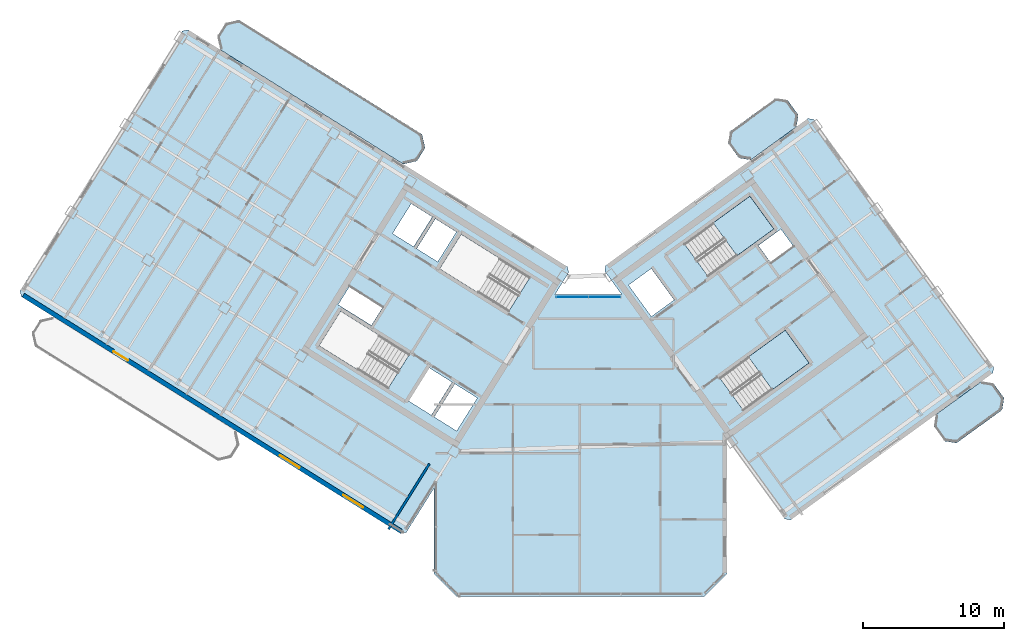
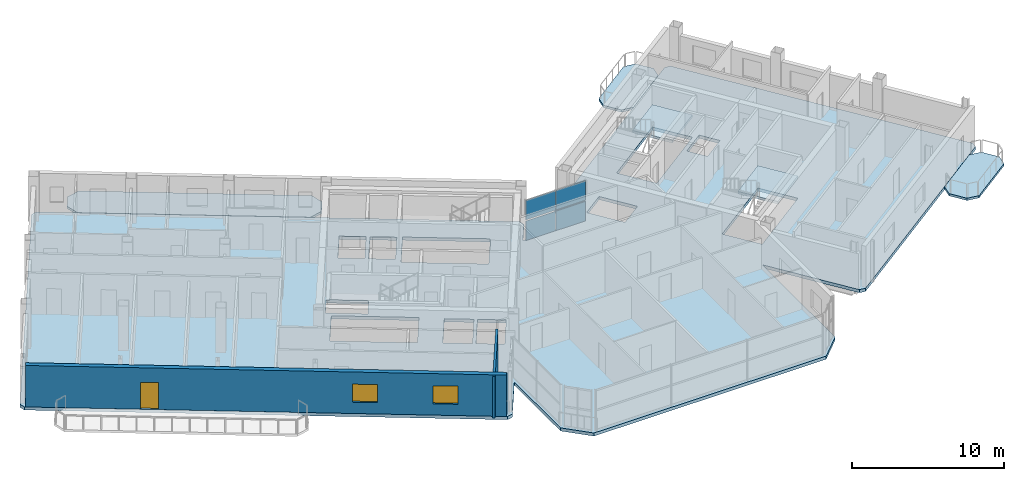
# One storey, part 15 of 25: 6 slabs, 4 plates, 2 walls, 2 windows, 1 door, 3 openings, 3 elements without a shape of their own.
"""IFC4 building model written with IfcOpenShell, lengths in metres."""

from ifc_helpers import new_model, si_unit, direction, frame, frame_2d, origin, origin_2d, place, context, subcontext, project, spatial, polyline, rectangle, outline, extrude, source, transform, mapped, material, layer, layer_set, type_object, element, fill, aggregate, save


model = new_model("IFC4")

# Units and contexts
model_context = context("Model", 3, precision=1e-05, world=origin(), true_north=direction((0.0, 1.0)))
body_context = subcontext(model_context, "Body", "Model", "MODEL_VIEW")
ifc_project = project(units=[si_unit("LENGTHUNIT", "METRE"), si_unit("AREAUNIT", "SQUARE_METRE"), si_unit("VOLUMEUNIT", "CUBIC_METRE"), si_unit("PLANEANGLEUNIT", "RADIAN"), si_unit("MASSUNIT", "GRAM", prefix="KILO")], contexts=[model_context])

# Site, building, storey
site_placement = place(None, origin())
site = spatial("IfcSite", under=ifc_project, at=site_placement, CompositionType="ELEMENT")
building_placement = place(site_placement, origin())
building = spatial("IfcBuilding", under=site, at=building_placement, Name="Tlacorven Tower", CompositionType="ELEMENT")
storey_placement = place(building_placement, frame((0.0, 0.0, 251.10009765625)))
storey = spatial("IfcBuildingStorey", under=building, at=storey_placement, Name="L63", CompositionType="ELEMENT", Elevation=251.10009765625)

# Slabs
ifc_material_1 = material(Name="Precast concrete C45/55", Category="concrete")
ifc_layer_1 = layer(ifc_material_1, 0.179931640625)
ifc_layer_set_1 = layer_set([ifc_layer_1], Name="Precast concrete C45/55")
slab_type_1 = type_object("IfcSlabType", Name="SL-BAL-180", PredefinedType="USERDEFINED", material=ifc_layer_set_1)
slab_1_placement = place(storey_placement, frame((0.0, 0.0, -0.18017578125)))
element("IfcSlab", 1, at=slab_1_placement, inside=storey, type_object=slab_type_1, Name="L63 West Wing Balcony Ribbon IN", ObjectType="BALCONY SLAB", PredefinedType="USERDEFINED", context=body_context, shape_type="SweptSolid", body=[
    extrude(outline(polyline([(30.756591796875, 34.57763671875), (17.781494140625, 42.685546875), (16.81689453125, 42.462890625), (16.236572265625, 41.5341796875), (16.459228515625, 40.569580078125), (29.434326171875, 32.4619140625), (30.39892578125, 32.6845703125), (30.979248046875, 33.613037109375), (30.756591796875, 34.57763671875)])), origin(), (0.0, 0.0, 1.0), 0.18017578125),
])
slab_2_placement = place(storey_placement, frame((0.0, 0.0, -0.18017578125)))
element("IfcSlab", 2, at=slab_2_placement, inside=storey, type_object=slab_type_1, Name="L63 East Wing Balcony Ribbon OUT", ObjectType="BALCONY SLAB", PredefinedType="USERDEFINED", context=body_context, shape_type="SweptSolid", body=[
    extrude(outline(polyline([(68.669921875, 12.678955078125), (71.906005859375, 15.0302734375), (72.03857421875, 15.8681640625), (71.27734375, 16.916015625), (70.439453125, 17.048583984375), (67.203369140625, 14.697509765625), (67.070556640625, 13.859375), (67.831787109375, 12.811767578125), (68.669921875, 12.678955078125)])), origin(), (0.0, 0.0, 1.0), 0.18017578125),
])
slab_3_placement = place(storey_placement, frame((0.0, 0.0, -0.18017578125)))
element("IfcSlab", 3, at=slab_3_placement, inside=storey, type_object=slab_type_1, Name="L63 East Wing Balcony Ribbon IN", ObjectType="BALCONY SLAB", PredefinedType="USERDEFINED", context=body_context, shape_type="SweptSolid", body=[
    extrude(outline(polyline([(54.078125, 32.762939453125), (57.314208984375, 35.114013671875), (57.44677734375, 35.9521484375), (56.685791015625, 36.999755859375), (55.84765625, 37.132568359375), (52.611572265625, 34.78125), (52.478759765625, 33.943359375), (53.239990234375, 32.8955078125), (54.078125, 32.762939453125)])), origin(), (0.0, 0.0, 1.0), 0.18017578125),
])

# Stair, slab
ifc_material_2 = material(Name="Concrete C40/50", Category="concrete")
stair_type = type_object("IfcStairType", Name="ST-CORE-DLG", PredefinedType="HALF_TURN_STAIR", material=ifc_material_2)
stair_1_placement = place(storey_placement, origin())
stair_1 = element("IfcStair", 4, at=stair_1_placement, inside=storey, type_object=stair_type, Name="L63 Protected Exit Stair East 1", PredefinedType="HALF_TURN_STAIR")
ifc_layer_2 = layer(ifc_material_2, 0.199951171875)
ifc_layer_set_2 = layer_set([ifc_layer_2], Name="Concrete C40/50")
slab_type_2 = type_object("IfcSlabType", Name="SL-LND-200", PredefinedType="LANDING", material=ifc_layer_set_2)
slab_4_placement = place(storey_placement, frame((0.0, 0.0, 1.599853515625)))
slab_4 = element("IfcSlab", 5, at=slab_4_placement, type_object=slab_type_2, Name="ST-E1 landing 1", PredefinedType="LANDING", context=body_context, shape_type="SweptSolid", body=[
    extrude(outline(polyline([(53.09765625, 25.962890625), (55.7109375, 27.861572265625), (54.01806640625, 30.19140625), (51.40478515625, 28.29296875), (53.09765625, 25.962890625)])), origin(), (0.0, 0.0, 1.0), 0.199951171875),
])
aggregate(stair_1, [slab_4])

stair_2_placement = place(storey_placement, origin())
stair_2 = element("IfcStair", 6, at=stair_2_placement, inside=storey, type_object=stair_type, Name="L63 Protected Exit Stair East 2", PredefinedType="HALF_TURN_STAIR")
slab_5_placement = place(storey_placement, frame((0.0, 0.0, 1.599853515625)))
slab_5 = element("IfcSlab", 7, at=slab_5_placement, type_object=slab_type_2, Name="ST-E2 landing 1", PredefinedType="LANDING", context=body_context, shape_type="SweptSolid", body=[
    extrude(outline(polyline([(55.601806640625, 16.4599609375), (58.21484375, 18.3583984375), (56.52197265625, 20.6884765625), (53.908935546875, 18.789794921875), (55.601806640625, 16.4599609375)])), origin(), (0.0, 0.0, 1.0), 0.199951171875),
])
aggregate(stair_2, [slab_5])

# Slab
ifc_layer_3 = layer(ifc_material_2, 0.25)
ifc_layer_set_3 = layer_set([ifc_layer_3], Name="Concrete C40/50")
slab_type_3 = type_object("IfcSlabType", Name="SL-TWR-250", PredefinedType="FLOOR", material=ifc_layer_set_3)
slab_6_placement = place(storey_placement, frame((0.0, 0.0, -0.25)))
element("IfcSlab", 8, at=slab_6_placement, inside=storey, type_object=slab_type_3, Name="L63 Boomerang Tower Floor Slab", PredefinedType="FLOOR", context=body_context, shape_type="SweptSolid", body=[
    extrude(outline(polyline([(52.39990234375, 3.39990234375), (50.800048828125, 1.800048828125), (33.199951171875, 1.800048828125), (31.60009765625, 3.39990234375), (31.60009765625, 9.470703125), (29.652587890625, 6.35400390625), (29.2392578125, 6.258544921875), (2.339111328125, 23.067626953125), (2.24365234375, 23.481201171875), (13.75341796875, 41.900634765625), (14.1669921875, 41.99609375), (41.06689453125, 25.18701171875), (41.162353515625, 24.773681640625), (40.178955078125, 23.199951171875), (44.932373046875, 23.199951171875), (43.723876953125, 24.86328125), (43.790283203125, 25.2822265625), (58.1259765625, 35.69775390625), (58.545166015625, 35.63134765625), (71.311767578125, 18.0595703125), (71.245361328125, 17.640380859375), (56.90966796875, 7.224853515625), (56.49072265625, 7.291259765625), (52.39990234375, 12.921630859375), (52.39990234375, 3.39990234375)]), holes=[polyline([(29.865478515625, 18.979736328125), (24.9892578125, 22.02685546875), (23.463134765625, 19.58447265625), (28.33935546875, 16.537353515625), (29.865478515625, 18.979736328125)]), polyline([(38.4169921875, 24.4375), (33.540771484375, 27.484375), (32.0146484375, 25.0419921875), (36.890869140625, 21.9951171875), (38.4169921875, 24.4375)]), polyline([(51.05908203125, 24.481689453125), (55.7109375, 27.861572265625), (54.01806640625, 30.19140625), (49.3662109375, 26.811767578125), (51.05908203125, 24.481689453125)]), polyline([(53.56298828125, 14.978759765625), (58.21484375, 18.3583984375), (56.52197265625, 20.6884765625), (51.8701171875, 17.30859375), (53.56298828125, 14.978759765625)]), polyline([(34.682373046875, 15.87548828125), (33.088134765625, 16.871826171875), (31.62548828125, 14.531005859375), (33.2197265625, 13.534912109375), (34.682373046875, 15.87548828125)]), polyline([(32.884521484375, 16.9990234375), (31.2392578125, 18.02685546875), (29.77685546875, 15.686279296875), (31.421875, 14.658203125), (32.884521484375, 16.9990234375)]), polyline([(47.0234375, 21.648681640625), (48.6416015625, 22.82421875), (47.019287109375, 25.05712890625), (45.401123046875, 23.881591796875), (47.0234375, 21.648681640625)]), polyline([(33.197265625, 27.65185546875), (31.704833984375, 28.58447265625), (30.3798828125, 26.46435546875), (31.87255859375, 25.53173828125), (33.197265625, 27.65185546875)]), polyline([(31.484375, 28.722412109375), (29.99169921875, 29.655029296875), (28.6669921875, 27.534912109375), (30.159423828125, 26.602294921875), (31.484375, 28.722412109375)]), polyline([(27.96142578125, 22.2919921875), (25.603759765625, 23.76513671875), (24.80908203125, 22.4931640625), (27.16650390625, 21.02001953125), (27.96142578125, 22.2919921875)]), polyline([(55.490478515625, 25.4765625), (57.092529296875, 26.640380859375), (56.210693359375, 27.85400390625), (54.60888671875, 26.690185546875), (55.490478515625, 25.4765625)])]), origin(), (0.0, 0.0, 1.0), 0.25),
])

# Curtain wall, plates
ifc_material_3 = material(Name="Dark solar low-E double glazing in aluminium frame", Category="aluminium")
curtain_wall_type = type_object("IfcCurtainWallType", Name="CW-TWR-HIGH", PredefinedType="USERDEFINED", material=ifc_material_3)
curtain_wall_placement = place(storey_placement, origin())
curtain_wall = element("IfcCurtainWall", 9, at=curtain_wall_placement, inside=storey, type_object=curtain_wall_type, Name="L63 CW-TWR-HIGH Curtain Wall 295", ObjectType="UNITISED CURTAIN WALL", PredefinedType="USERDEFINED")
ifc_material_4 = material(Name="High-wind dark solar tempered low-E glazing", Category="glass")
ifc_layer_4 = layer(ifc_material_4, 0.028076171875)
ifc_layer_set_4 = layer_set([ifc_layer_4], Name="High-wind dark solar tempered low-E glazing")
plate_type = type_object("IfcPlateType", Name="CWP-03", PredefinedType="CURTAIN_PANEL", material=ifc_layer_set_4)
shared_shape_1 = source(origin(), body_context, "Body", "SweptSolid", [
    extrude(rectangle(XDim=2.246337890625, YDim=0.028076171875, at=origin_2d()), origin(), (0.0, 0.0, 1.0), 1.55810546875),
])
plate_1_placement = place(storey_placement, frame((41.41796875, 23.0400390625, 0.05078125), z_axis=(0.0, 0.0, 1.0), x_axis=(1.0, 0.0, 0.0)))
plate_1 = element("IfcPlate", 10, at=plate_1_placement, type_object=plate_type, Name="CW-L63-295 Glazing Panel 1", PredefinedType="CURTAIN_PANEL", context=body_context, shape_type="MappedRepresentation", body=[
    mapped(shared_shape_1, transform((0.0, 0.0, 0.0), scale=1.0)),
])
plate_2_placement = place(storey_placement, frame((41.41796875, 23.0400390625, 1.7109375), z_axis=(0.0, 0.0, 1.0), x_axis=(1.0, 0.0, 0.0)))
plate_2 = element("IfcPlate", 11, at=plate_2_placement, type_object=plate_type, Name="CW-L63-295 Glazing Panel 2", PredefinedType="CURTAIN_PANEL", context=body_context, shape_type="MappedRepresentation", body=[
    mapped(shared_shape_1, transform((0.0, 0.0, 0.0), scale=1.0)),
])
plate_3_placement = place(storey_placement, frame((43.706298828125, 23.0400390625, 0.05078125), z_axis=(0.0, 0.0, 1.0), x_axis=(1.0, 0.0, 0.0)))
plate_3 = element("IfcPlate", 12, at=plate_3_placement, type_object=plate_type, Name="CW-L63-295 Glazing Panel 3", PredefinedType="CURTAIN_PANEL", context=body_context, shape_type="MappedRepresentation", body=[
    mapped(shared_shape_1, transform((0.0, 0.0, 0.0), scale=1.0)),
])
plate_4_placement = place(storey_placement, frame((43.706298828125, 23.0400390625, 1.7109375), z_axis=(0.0, 0.0, 1.0), x_axis=(1.0, 0.0, 0.0)))
plate_4 = element("IfcPlate", 13, at=plate_4_placement, type_object=plate_type, Name="CW-L63-295 Glazing Panel 4", PredefinedType="CURTAIN_PANEL", context=body_context, shape_type="MappedRepresentation", body=[
    mapped(shared_shape_1, transform((0.0, 0.0, 0.0), scale=1.0)),
])
aggregate(curtain_wall, [plate_1, plate_2, plate_3, plate_4])

# Wall
ifc_material_5 = material(Name="Gypsum plasterboard acoustic partition", Category="gypsum")
ifc_layer_5 = layer(ifc_material_5, 0.159912109375)
ifc_layer_set_5 = layer_set([ifc_layer_5], Name="Gypsum plasterboard acoustic partition")
wall_type_1 = type_object("IfcWallType", Name="WL-DEM-160", PredefinedType="PARTITIONING", material=ifc_layer_set_5)
wall_1_placement = place(storey_placement, frame((31.282470703125, 11.2080078125, 0.0), z_axis=(0.0, 0.0, 1.0), x_axis=(-0.529938869374, -0.84803584519, 0.0)))
element("IfcWall", 14, at=wall_1_placement, inside=storey, type_object=wall_type_1, Name="L63 WC West Throat Wall", PredefinedType="PARTITIONING", context=body_context, shape_type="SweptSolid", body=[
    extrude(rectangle(XDim=5.47998046875, YDim=0.159912109375, at=frame_2d((2.739990234375, 0.0))), origin(), (0.0, 0.0, 1.0), 3.309814453125),
])

# Wall, openings, door, windows
ifc_layer_6 = layer(ifc_material_1, 0.320068359375)
ifc_layer_set_6 = layer_set([ifc_layer_6], Name="Precast concrete C45/55")
wall_type_2 = type_object("IfcWallType", Name="WL-EXT-320", PredefinedType="STANDARD", material=ifc_layer_set_6)
wall_2_placement = place(storey_placement, frame((29.267822265625, 6.429443359375, 0.0), z_axis=(0.0, 0.0, 1.0), x_axis=(-0.848049971435, 0.529916263149, 0.0)))
wall_2 = element("IfcWall", 15, at=wall_2_placement, inside=storey, type_object=wall_type_2, Name="L63 Masonry-Frame Recessed Facade Wall 1", PredefinedType="STANDARD", context=body_context, shape_type="SweptSolid", body=[
    extrude(rectangle(XDim=31.587646484375, YDim=0.320068359375, at=frame_2d((15.7939453125, 0.0))), origin(), (0.0, 0.0, 1.0), 3.31982421875),
])
opening_1_placement = place(wall_2_placement, frame((22.847900390625, 0.0, 0.0)))
opening_1 = element("IfcOpeningElement", 16, at=opening_1_placement, cuts=wall_2, Name="Opening D05", PredefinedType="OPENING", context=body_context, shape_type="SweptSolid", body=[
    extrude(rectangle(XDim=1.199951171875, YDim=2.14990234375, at=frame_2d((0.60009765625, 1.074951171875))), frame((0.0, 0.169921875, 0.0), z_axis=(0.0, -1.0, 0.0), x_axis=(1.0, 0.0, 0.0)), (0.0, 0.0, 1.0), 0.340087890625),
])
opening_2_placement = place(wall_2_placement, frame((3.178466796875, 0.0, 0.89990234375)))
opening_2 = element("IfcOpeningElement", 17, at=opening_2_placement, cuts=wall_2, Name="Opening WN07", PredefinedType="OPENING", context=body_context, shape_type="SweptSolid", body=[
    extrude(rectangle(XDim=1.64990234375, YDim=1.449951171875, at=frame_2d((0.824951171875, 0.72509765625))), frame((0.0, 0.169921875, 0.0), z_axis=(0.0, -1.0, 0.0), x_axis=(1.0, 0.0, 0.0)), (0.0, 0.0, 1.0), 0.340087890625),
])
opening_3_placement = place(wall_2_placement, frame((8.478271484375, 0.0, 0.89990234375)))
opening_3 = element("IfcOpeningElement", 18, at=opening_3_placement, cuts=wall_2, Name="Opening WN07", PredefinedType="OPENING", context=body_context, shape_type="SweptSolid", body=[
    extrude(rectangle(XDim=1.64990234375, YDim=1.449951171875, at=frame_2d((0.824951171875, 0.72509765625))), frame((0.0, 0.169921875, 0.0), z_axis=(0.0, -1.0, 0.0), x_axis=(1.0, 0.0, 0.0)), (0.0, 0.0, 1.0), 0.340087890625),
])
ifc_material_6 = material(Name="Powder-coated aluminium and timber door", Category="wood")
door_type = type_object("IfcDoorType", Name="DR-EXT-BALC-1200", OperationType="NOTDEFINED", PredefinedType="DOOR", material=ifc_material_6)
shared_shape_2 = source(origin(), body_context, "Body", "SweptSolid", [
    extrude(rectangle(XDim=1.199951171875, YDim=2.14990234375, at=frame_2d((0.60009765625, 1.074951171875))), frame((0.0, 0.02490234375, 0.0), z_axis=(0.0, -1.0, 0.0), x_axis=(1.0, 0.0, 0.0)), (0.0, 0.0, 1.0), 0.050048828125),
])
door_placement = place(opening_1_placement, origin())
door = element("IfcDoor", 19, at=door_placement, inside=storey, type_object=door_type, Name="L63 Outdoor Access Door BAL-L63-W-OUT", OperationType="SINGLE_SWING_LEFT", OverallHeight=2.14990234375, OverallWidth=1.199951171875, PredefinedType="DOOR", context=body_context, shape_type="MappedRepresentation", body=[
    mapped(shared_shape_2, transform((0.0, 0.0, 0.0), scale=1.0)),
])
fill(opening_1, door)
ifc_material_7 = material(Name="Dark solar low-E double glazing in anodised aluminium frame", Category="aluminium")
window_type = type_object("IfcWindowType", Name="WN-APT-1650X1600", PartitioningType="SINGLE_PANEL", PredefinedType="WINDOW", material=ifc_material_7)
shared_shape_3 = source(origin(), body_context, "Body", "SweptSolid", [
    extrude(rectangle(XDim=1.64990234375, YDim=1.449951171875, at=frame_2d((0.824951171875, 0.72509765625))), frame((0.0, 0.030029296875, 0.0), z_axis=(0.0, -1.0, 0.0), x_axis=(1.0, 0.0, 0.0)), (0.0, 0.0, 1.0), 0.06005859375),
])
window_1_placement = place(opening_2_placement, origin())
window_1 = element("IfcWindow", 20, at=window_1_placement, inside=storey, type_object=window_type, Name="L63 Recessed Masonry-Frame Window L63-01.1", OverallHeight=1.449951171875, OverallWidth=1.64990234375, PartitioningType="SINGLE_PANEL", PredefinedType="WINDOW", context=body_context, shape_type="MappedRepresentation", body=[
    mapped(shared_shape_3, transform((0.0, 0.0, 0.0), scale=1.0)),
])
fill(opening_2, window_1)
window_2_placement = place(opening_3_placement, origin())
window_2 = element("IfcWindow", 21, at=window_2_placement, inside=storey, type_object=window_type, Name="L63 Recessed Masonry-Frame Window L63-01.2", OverallHeight=1.449951171875, OverallWidth=1.64990234375, PartitioningType="SINGLE_PANEL", PredefinedType="WINDOW", context=body_context, shape_type="MappedRepresentation", body=[
    mapped(shared_shape_3, transform((0.0, 0.0, 0.0), scale=1.0)),
])
fill(opening_3, window_2)

save(model, "model.ifc")
